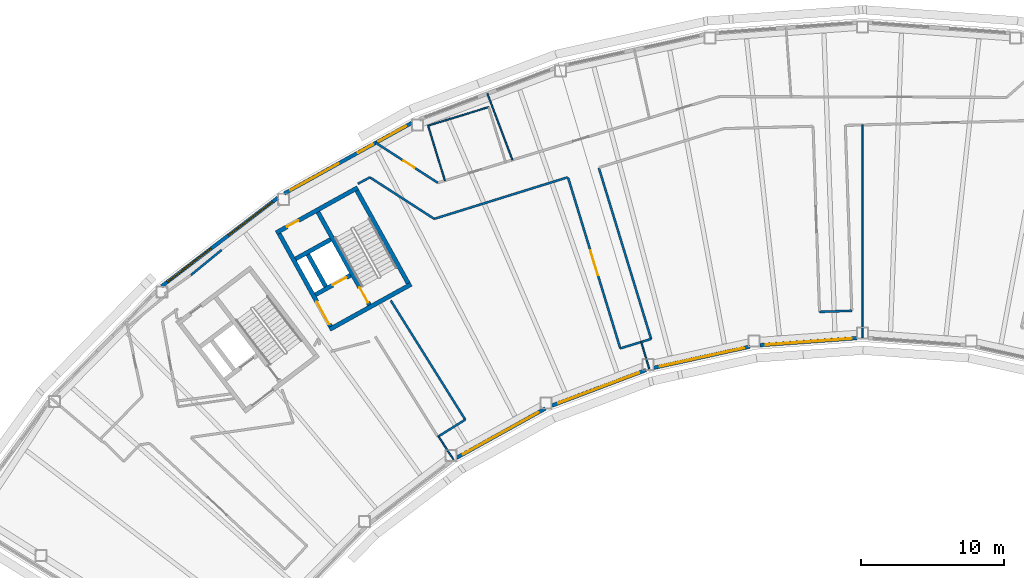
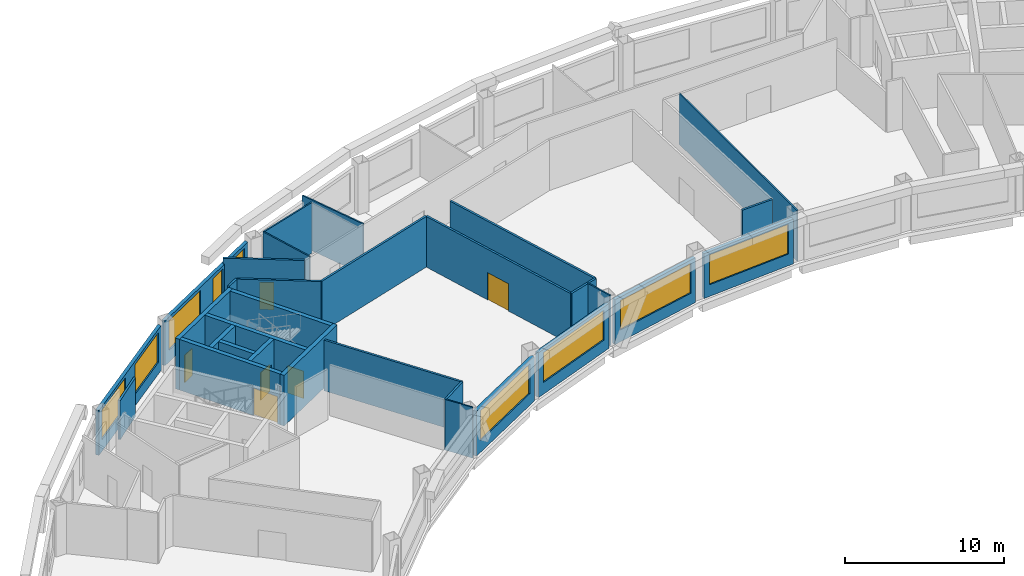
# One storey, part 6 of 13: 31 walls, 9 windows, 6 doors, 15 openings.
"""IFC4 building model written with IfcOpenShell, lengths in metres."""

from ifc_helpers import new_model, si_unit, direction, frame, frame_2d, origin, place, context, subcontext, project, spatial, rectangle, extrude, material, layer, layer_set, type_object, element, fill, save


model = new_model("IFC4")

# Units and contexts
model_context = context("Model", 3, precision=1e-05, world=origin(), true_north=direction((0.0, 1.0)))
body_context = subcontext(model_context, "Body", "Model", "MODEL_VIEW")
ifc_project = project(units=[si_unit("LENGTHUNIT", "METRE"), si_unit("AREAUNIT", "SQUARE_METRE"), si_unit("VOLUMEUNIT", "CUBIC_METRE"), si_unit("PLANEANGLEUNIT", "RADIAN"), si_unit("MASSUNIT", "GRAM", prefix="KILO")], contexts=[model_context])

# Site, building, storey
site_placement = place(None, origin())
site = spatial("IfcSite", under=ifc_project, at=site_placement, CompositionType="ELEMENT")
building_placement = place(site_placement, origin())
building = spatial("IfcBuilding", under=site, at=building_placement, Name="Tuul Gate Civic Tower", CompositionType="ELEMENT")
storey_placement = place(building_placement, frame((0.0, 0.0, 290.0)))
storey = spatial("IfcBuildingStorey", under=building, at=storey_placement, Name="Level 65", CompositionType="ELEMENT", Elevation=290.0)

# Wall
ifc_material_1 = material(Name="Concrete C50/60", Category="concrete")
ifc_layer_1 = layer(ifc_material_1, 0.300048828125)
ifc_layer_set_1 = layer_set([ifc_layer_1], Name="Concrete C50/60")
wall_type_1 = type_object("IfcWallType", Name="Core wall C50/60", PredefinedType="SHEAR", material=ifc_layer_set_1)
wall_1_placement = place(storey_placement, frame((-24.711669921875, -8.7158203125, 0.0), z_axis=(0.0, 0.0, 1.0), x_axis=(-0.874629909008, -0.484791215132, 0.0)))
element("IfcWall", 1, at=wall_1_placement, inside=storey, type_object=wall_type_1, Name="Core wall", PredefinedType="SHEAR", context=body_context, shape_type="SweptSolid", body=[
    extrude(rectangle(XDim=6.5, YDim=0.300048828125, at=frame_2d((3.25, 0.0))), origin(), (0.0, 0.0, 1.0), 3.89990234375),
])

# Wall, opening, door
wall_2_placement = place(storey_placement, frame((-28.94580078125, -8.090087890625, 0.0), z_axis=(0.0, 0.0, 1.0), x_axis=(-0.874629840737, -0.484791338301, 0.0)))
wall_2 = element("IfcWall", 2, at=wall_2_placement, inside=storey, type_object=wall_type_1, Name="Core wall", PredefinedType="SHEAR", context=body_context, shape_type="SweptSolid", body=[
    extrude(rectangle(XDim=2.800048828125, YDim=0.300048828125, at=frame_2d((1.39990234375, 0.0))), origin(), (0.0, 0.0, 1.0), 3.89990234375),
])
opening_1_placement = place(wall_2_placement, frame((0.324951171875, 0.0, 0.0)))
opening_1 = element("IfcOpeningElement", 3, at=opening_1_placement, cuts=wall_2, Name="Opening LD-FF-1", PredefinedType="OPENING", context=body_context, shape_type="SweptSolid", body=[
    extrude(rectangle(XDim=1.10009765625, YDim=2.10009765625, at=frame_2d((0.550048828125, 1.050048828125))), frame((0.0, 0.16015625, 0.0), z_axis=(0.0, -1.0, 0.0), x_axis=(1.0, 0.0, 0.0)), (0.0, 0.0, 1.0), 0.320068359375),
])
ifc_material_2 = material(Name="Stainless steel", Category="steel")
door_type_1 = type_object("IfcDoorType", Name="Landing door", OperationType="DOUBLE_DOOR_SLIDING", PredefinedType="DOOR", material=ifc_material_2)
door_1_placement = place(opening_1_placement, origin())
door_1 = element("IfcDoor", 4, at=door_1_placement, inside=storey, type_object=door_type_1, Name="Fire-fighting lift FF-1 landing door", OperationType="DOUBLE_DOOR_SLIDING", OverallHeight=2.10009765625, OverallWidth=1.10009765625, PredefinedType="DOOR", context=body_context, shape_type="SweptSolid", body=[
    extrude(rectangle(XDim=1.10009765625, YDim=2.10009765625, at=frame_2d((0.550048828125, 1.050048828125))), frame((0.0, 0.02490234375, 0.0), z_axis=(0.0, -1.0, 0.0), x_axis=(1.0, 0.0, 0.0)), (0.0, 0.0, 1.0), 0.050048828125),
])
fill(opening_1, door_1)

# Wall
wall_3_placement = place(storey_placement, frame((-30.327392578125, -5.59716796875, 0.0), z_axis=(0.0, 0.0, 1.0), x_axis=(-0.874629840737, -0.484791338301, 0.0)))
element("IfcWall", 5, at=wall_3_placement, inside=storey, type_object=wall_type_1, Name="Core wall", PredefinedType="SHEAR", context=body_context, shape_type="SweptSolid", body=[
    extrude(rectangle(XDim=2.800048828125, YDim=0.300048828125, at=frame_2d((1.39990234375, 0.0))), origin(), (0.0, 0.0, 1.0), 3.89990234375),
])

# Wall, opening, door
wall_4_placement = place(storey_placement, frame((-28.4443359375, -1.98095703125, 0.0), z_axis=(0.0, 0.0, 1.0), x_axis=(-0.874629909008, -0.484791215132, 0.0)))
wall_4 = element("IfcWall", 6, at=wall_4_placement, inside=storey, type_object=wall_type_1, Name="Core wall", PredefinedType="SHEAR", context=body_context, shape_type="SweptSolid", body=[
    extrude(rectangle(XDim=6.5, YDim=0.300048828125, at=frame_2d((3.25, 0.0))), origin(), (0.0, 0.0, 1.0), 3.89990234375),
])
opening_2_placement = place(wall_4_placement, frame((4.72509765625, 0.0, 0.0)))
opening_2 = element("IfcOpeningElement", 7, at=opening_2_placement, cuts=wall_4, Name="Opening X-D20", PredefinedType="OPENING", context=body_context, shape_type="SweptSolid", body=[
    extrude(rectangle(XDim=0.89990234375, YDim=2.10009765625, at=frame_2d((0.449951171875, 1.050048828125))), frame((0.0, 0.16015625, 0.0), z_axis=(0.0, -1.0, 0.0), x_axis=(1.0, 0.0, 0.0)), (0.0, 0.0, 1.0), 0.320068359375),
])
ifc_material_3 = material(Name="Timber door leaf", Category="wood")
door_type_2 = type_object("IfcDoorType", Name="Door D09", OperationType="NOTDEFINED", PredefinedType="DOOR", material=ifc_material_3)
door_2_placement = place(opening_2_placement, origin())
door_2 = element("IfcDoor", 8, at=door_2_placement, inside=storey, type_object=door_type_2, Name="Door X-D20", OperationType="SINGLE_SWING_LEFT", OverallHeight=2.10009765625, OverallWidth=0.89990234375, PredefinedType="DOOR", context=body_context, shape_type="SweptSolid", body=[
    extrude(rectangle(XDim=0.89990234375, YDim=2.10009765625, at=frame_2d((0.449951171875, 1.050048828125))), frame((0.0, 0.02490234375, 0.0), z_axis=(0.0, -1.0, 0.0), x_axis=(1.0, 0.0, 0.0)), (0.0, 0.0, 1.0), 0.050048828125),
])
fill(opening_2, door_2)

# Wall
wall_5_placement = place(storey_placement, frame((-24.91552734375, -8.6572265625, 0.0), z_axis=(0.0, 0.0, 1.0), x_axis=(-0.484777133038, 0.874637714304, 0.0)))
element("IfcWall", 9, at=wall_5_placement, inside=storey, type_object=wall_type_1, Name="Core wall", PredefinedType="SHEAR", context=body_context, shape_type="SweptSolid", body=[
    extrude(rectangle(XDim=7.400146484375, YDim=0.300048828125, at=frame_2d((3.7001953125, 0.0))), origin(), (0.0, 0.0, 1.0), 3.89990234375),
])

# Wall, opening, door
wall_6_placement = place(storey_placement, frame((-27.626953125, -10.16015625, 0.0), z_axis=(0.0, 0.0, 1.0), x_axis=(-0.484751894226, 0.874651702704, 0.0)))
wall_6 = element("IfcWall", 10, at=wall_6_placement, inside=storey, type_object=wall_type_1, Name="Core wall", PredefinedType="SHEAR", context=body_context, shape_type="SweptSolid", body=[
    extrude(rectangle(XDim=7.39990234375, YDim=0.300048828125, at=frame_2d((3.699951171875, 0.0))), origin(), (0.0, 0.0, 1.0), 3.89990234375),
])
opening_3_placement = place(wall_6_placement, frame((0.199951171875, 0.0, 0.0)))
opening_3 = element("IfcOpeningElement", 11, at=opening_3_placement, cuts=wall_6, Name="Opening SD-ST-2", PredefinedType="OPENING", context=body_context, shape_type="SweptSolid", body=[
    extrude(rectangle(XDim=1.199951171875, YDim=2.10009765625, at=frame_2d((0.60009765625, 1.050048828125))), frame((0.0, 0.16015625, 0.0), z_axis=(0.0, -1.0, 0.0), x_axis=(1.0, 0.0, 0.0)), (0.0, 0.0, 1.0), 0.320068359375),
])
ifc_material_4 = material(Name="Steel", Category="steel")
door_type_3 = type_object("IfcDoorType", Name="Stair door", OperationType="NOTDEFINED", PredefinedType="DOOR", material=ifc_material_4)
door_3_placement = place(opening_3_placement, origin())
door_3 = element("IfcDoor", 12, at=door_3_placement, inside=storey, type_object=door_type_3, Name="Stair door ST-2", OperationType="SINGLE_SWING_LEFT", OverallHeight=2.10009765625, OverallWidth=1.199951171875, PredefinedType="DOOR", context=body_context, shape_type="SweptSolid", body=[
    extrude(rectangle(XDim=1.199951171875, YDim=2.10009765625, at=frame_2d((0.60009765625, 1.050048828125))), frame((0.0, 0.02490234375, 0.0), z_axis=(0.0, -1.0, 0.0), x_axis=(1.0, 0.0, 0.0)), (0.0, 0.0, 1.0), 0.050048828125),
])
fill(opening_3, door_3)

# Wall
wall_7_placement = place(storey_placement, frame((-30.680419921875, -8.8798828125, 0.0), z_axis=(0.0, 0.0, 1.0), x_axis=(-0.484724115216, 0.874667097888, 0.0)))
element("IfcWall", 13, at=wall_7_placement, inside=storey, type_object=wall_type_1, Name="Core wall", PredefinedType="SHEAR", context=body_context, shape_type="SweptSolid", body=[
    extrude(rectangle(XDim=2.550048828125, YDim=0.300048828125, at=frame_2d((1.27490234375, 0.0))), origin(), (0.0, 0.0, 1.0), 3.89990234375),
])

# Wall, opening, door
wall_8_placement = place(storey_placement, frame((-30.33837890625, -11.6630859375, 0.0), z_axis=(0.0, 0.0, 1.0), x_axis=(-0.484751894226, 0.874651702704, 0.0)))
wall_8 = element("IfcWall", 14, at=wall_8_placement, inside=storey, type_object=wall_type_1, Name="Core wall", PredefinedType="SHEAR", context=body_context, shape_type="SweptSolid", body=[
    extrude(rectangle(XDim=7.39990234375, YDim=0.300048828125, at=frame_2d((3.699951171875, 0.0))), origin(), (0.0, 0.0, 1.0), 3.89990234375),
])
opening_4_placement = place(wall_8_placement, frame((0.175048828125, 0.0, 0.0)))
opening_4 = element("IfcOpeningElement", 15, at=opening_4_placement, cuts=wall_8, Name="Opening LB-W2-FLOBBY-1", PredefinedType="OPENING", context=body_context, shape_type="SweptSolid", body=[
    extrude(rectangle(XDim=1.800048828125, YDim=2.10009765625, at=frame_2d((0.89990234375, 1.050048828125))), frame((0.0, 0.16015625, 0.0), z_axis=(0.0, -1.0, 0.0), x_axis=(1.0, 0.0, 0.0)), (0.0, 0.0, 1.0), 0.320068359375),
])
ifc_material_5 = material(Name="Steel", Category="steel")
door_type_4 = type_object("IfcDoorType", Name="Lobby door", OperationType="DOUBLE_DOOR_SINGLE_SWING", PredefinedType="DOOR", material=ifc_material_5)
door_4_placement = place(opening_4_placement, frame((1.800048828125, 0.0, 0.0), z_axis=(0.0, 0.0, 1.0), x_axis=(-1.0, 0.0, 0.0)))
door_4 = element("IfcDoor", 16, at=door_4_placement, inside=storey, type_object=door_type_4, Name="Lobby door W2-FLOBBY", OperationType="DOUBLE_DOOR_SINGLE_SWING", OverallHeight=2.10009765625, OverallWidth=1.800048828125, PredefinedType="DOOR", context=body_context, shape_type="SweptSolid", body=[
    extrude(rectangle(XDim=1.800048828125, YDim=2.10009765625, at=frame_2d((0.900146484375, 1.050048828125))), frame((0.0, 0.02490234375, 0.0), z_axis=(0.0, -1.0, 0.0), x_axis=(1.0, 0.0, 0.0)), (0.0, 0.0, 1.0), 0.050048828125),
])
fill(opening_4, door_4)

# Walls
ifc_material_6 = material(Name="Gypsum board partition")
ifc_layer_2 = layer(ifc_material_6, 0.14990234375)
ifc_layer_set_2 = layer_set([ifc_layer_2], Name="Gypsum board partition")
wall_type_2 = type_object("IfcWallType", Name="Corridor wall P150", PredefinedType="PARTITIONING", material=ifc_layer_set_2)
wall_9_placement = place(storey_placement, frame((-10.125, -13.193603515625, 0.0), z_axis=(0.0, 0.0, 1.0), x_axis=(0.956289194765, 0.292422598263, 0.0)))
element("IfcWall", 17, at=wall_9_placement, inside=storey, type_object=wall_type_2, Name="p066", PredefinedType="PARTITIONING", context=body_context, shape_type="SweptSolid", body=[
    extrude(rectangle(XDim=2.249267578125, YDim=0.14990234375, at=frame_2d((1.12451171875, 0.0))), origin(), (0.0, 0.0, 1.0), 3.89990234375),
])
wall_10_placement = place(storey_placement, frame((-11.621826171875, -0.602294921875, 0.0), z_axis=(0.0, 0.0, 1.0), x_axis=(0.29236815263, -0.95630584194, 0.0)))
element("IfcWall", 18, at=wall_10_placement, inside=storey, type_object=wall_type_2, Name="p067", PredefinedType="PARTITIONING", context=body_context, shape_type="SweptSolid", body=[
    extrude(rectangle(XDim=12.47802734375, YDim=0.14990234375, at=frame_2d((6.239013671875, 0.0))), origin(), (0.0, 0.0, 1.0), 3.89990234375),
])
wall_11_placement = place(storey_placement, frame((-23.10498046875, -4.15771484375, 0.0), z_axis=(0.0, 0.0, 1.0), x_axis=(0.95475491639, 0.297393761919, 0.0)))
element("IfcWall", 19, at=wall_11_placement, inside=storey, type_object=wall_type_2, Name="p068", PredefinedType="PARTITIONING", context=body_context, shape_type="SweptSolid", body=[
    extrude(rectangle(XDim=9.750244140625, YDim=0.14990234375, at=frame_2d((4.875, 0.0))), origin(), (0.0, 0.0, 1.0), 3.89990234375),
])
wall_12_placement = place(storey_placement, frame((3.77685546875, -10.64599609375, 0.0), z_axis=(0.0, 0.0, 1.0), x_axis=(0.999388593446, 0.034963399293, 0.0)))
element("IfcWall", 20, at=wall_12_placement, inside=storey, type_object=wall_type_2, Name="p071", PredefinedType="PARTITIONING", context=body_context, shape_type="SweptSolid", body=[
    extrude(rectangle(XDim=2.24853515625, YDim=0.14990234375, at=frame_2d((1.124267578125, 0.0))), origin(), (0.0, 0.0, 1.0), 3.89990234375),
])
wall_13_placement = place(storey_placement, frame((-22.85009765625, -19.358642578125, 0.0), z_axis=(0.0, 0.0, 1.0), x_axis=(0.848016591938, 0.529969678186, 0.0)))
element("IfcWall", 21, at=wall_13_placement, inside=storey, type_object=wall_type_2, Name="p075", PredefinedType="PARTITIONING", context=body_context, shape_type="SweptSolid", body=[
    extrude(rectangle(XDim=2.25, YDim=0.14990234375, at=frame_2d((1.125, 0.0))), origin(), (0.0, 0.0, 1.0), 3.89990234375),
])
wall_14_placement = place(storey_placement, frame((-26.139404296875, -9.85009765625, 0.0), z_axis=(0.0, 0.0, 1.0), x_axis=(0.529974324055, -0.848013688476, 0.0)))
element("IfcWall", 22, at=wall_14_placement, inside=storey, type_object=wall_type_2, Name="p076", PredefinedType="PARTITIONING", context=body_context, shape_type="SweptSolid", body=[
    extrude(rectangle(XDim=9.806640625, YDim=0.14990234375, at=frame_2d((4.9033203125, 0.0))), origin(), (0.0, 0.0, 1.0), 3.89990234375),
])
wall_15_placement = place(storey_placement, frame((-28.42431640625, -1.7080078125, 0.0), z_axis=(0.0, 0.0, 1.0), x_axis=(0.880944468878, 0.473219655924, 0.0)))
element("IfcWall", 23, at=wall_15_placement, inside=storey, type_object=wall_type_2, Name="p077", PredefinedType="PARTITIONING", context=body_context, shape_type="SweptSolid", body=[
    extrude(rectangle(XDim=0.943115234375, YDim=0.14990234375, at=frame_2d((0.4716796875, 0.0))), origin(), (0.0, 0.0, 1.0), 3.89990234375),
])
wall_16_placement = place(storey_placement, frame((-27.593505859375, -1.26171875, 0.0), z_axis=(0.0, 0.0, 1.0), x_axis=(0.840281871945, -0.54214977237, 0.0)))
element("IfcWall", 24, at=wall_16_placement, inside=storey, type_object=wall_type_2, Name="p078", PredefinedType="PARTITIONING", context=body_context, shape_type="SweptSolid", body=[
    extrude(rectangle(XDim=5.341796875, YDim=0.14990234375, at=frame_2d((2.6708984375, 0.0))), origin(), (0.0, 0.0, 1.0), 3.89990234375),
])

# Wall, opening, door
wall_17_placement = place(storey_placement, frame((-13.77001953125, -1.271484375, 0.0), z_axis=(0.0, 0.0, 1.0), x_axis=(0.292376247058, -0.95630336722, 0.0)))
wall_17 = element("IfcWall", 25, at=wall_17_placement, inside=storey, type_object=wall_type_2, Name="p079", PredefinedType="PARTITIONING", context=body_context, shape_type="SweptSolid", body=[
    extrude(rectangle(XDim=12.466796875, YDim=0.14990234375, at=frame_2d((6.2333984375, 0.0))), origin(), (0.0, 0.0, 1.0), 3.89990234375),
])
opening_5_placement = place(wall_17_placement, frame((5.333251953125, 0.0, 0.0)))
opening_5 = element("IfcOpeningElement", 26, at=opening_5_placement, cuts=wall_17, Name="Opening X-D12", PredefinedType="OPENING", context=body_context, shape_type="SweptSolid", body=[
    extrude(rectangle(XDim=1.800048828125, YDim=2.10009765625, at=frame_2d((0.89990234375, 1.050048828125))), frame((0.0, 0.0849609375, 0.0), z_axis=(0.0, -1.0, 0.0), x_axis=(1.0, 0.0, 0.0)), (0.0, 0.0, 1.0), 0.169921875),
])
ifc_material_7 = material(Name="Timber door leaf, double", Category="wood")
door_type_5 = type_object("IfcDoorType", Name="Door D18", OperationType="DOUBLE_DOOR_SINGLE_SWING", PredefinedType="DOOR", material=ifc_material_7)
door_5_placement = place(opening_5_placement, frame((1.800048828125, 0.0, 0.0), z_axis=(0.0, 0.0, 1.0), x_axis=(-1.0, 0.0, 0.0)))
door_5 = element("IfcDoor", 27, at=door_5_placement, inside=storey, type_object=door_type_5, Name="Door X-D12", OperationType="DOUBLE_DOOR_SINGLE_SWING", OverallHeight=2.10009765625, OverallWidth=1.800048828125, PredefinedType="DOOR", context=body_context, shape_type="SweptSolid", body=[
    extrude(rectangle(XDim=1.800048828125, YDim=2.10009765625, at=frame_2d((0.900146484375, 1.050048828125))), frame((0.0, 0.02490234375, 0.0), z_axis=(0.0, -1.0, 0.0), x_axis=(1.0, 0.0, 0.0)), (0.0, 0.0, 1.0), 0.050048828125),
])
fill(opening_5, door_5)

wall_18_placement = place(storey_placement, frame((-27.183349609375, 1.151123046875, 0.0), z_axis=(0.0, 0.0, 1.0), x_axis=(0.840299434688, -0.542122550778, 0.0)))
wall_18 = element("IfcWall", 28, at=wall_18_placement, inside=storey, type_object=wall_type_2, Name="p105", PredefinedType="PARTITIONING", context=body_context, shape_type="SweptSolid", body=[
    extrude(rectangle(XDim=5.150146484375, YDim=0.14990234375, at=frame_2d((2.5751953125, 0.0))), origin(), (0.0, 0.0, 1.0), 3.89990234375),
])
opening_6_placement = place(wall_18_placement, frame((2.312255859375, 0.0, 0.0)))
opening_6 = element("IfcOpeningElement", 29, at=opening_6_placement, cuts=wall_18, Name="Opening X-D18", PredefinedType="OPENING", context=body_context, shape_type="SweptSolid", body=[
    extrude(rectangle(XDim=0.89990234375, YDim=2.10009765625, at=frame_2d((0.449951171875, 1.050048828125))), frame((0.0, 0.0849609375, 0.0), z_axis=(0.0, -1.0, 0.0), x_axis=(1.0, 0.0, 0.0)), (0.0, 0.0, 1.0), 0.169921875),
])
door_6_placement = place(opening_6_placement, origin())
door_6 = element("IfcDoor", 30, at=door_6_placement, inside=storey, type_object=door_type_2, Name="Door X-D18", OperationType="SINGLE_SWING_RIGHT", OverallHeight=2.10009765625, OverallWidth=0.89990234375, PredefinedType="DOOR", context=body_context, shape_type="SweptSolid", body=[
    extrude(rectangle(XDim=0.89990234375, YDim=2.10009765625, at=frame_2d((0.449951171875, 1.050048828125))), frame((0.0, 0.02490234375, 0.0), z_axis=(0.0, -1.0, 0.0), x_axis=(1.0, 0.0, 0.0)), (0.0, 0.0, 1.0), 0.050048828125),
])
fill(opening_6, door_6)

# Wall
ifc_material_8 = material(Name="Gypsum board partition")
ifc_layer_3 = layer(ifc_material_8, 0.14990234375)
ifc_layer_set_3 = layer_set([ifc_layer_3], Name="Gypsum board partition")
wall_type_3 = type_object("IfcWallType", Name="Corridor wall P150 3000 HIGH", PredefinedType="PARTITIONING", material=ifc_layer_set_3)
wall_19_placement = place(storey_placement, frame((-40.0732421875, -8.07568359375, 0.0), z_axis=(0.0, 0.0, 1.0), x_axis=(0.773953353757, 0.633242612439, 0.0)))
element("IfcWall", 31, at=wall_19_placement, inside=storey, type_object=wall_type_3, Name="p036", PredefinedType="PARTITIONING", context=body_context, shape_type="SweptSolid", body=[
    extrude(rectangle(XDim=2.757080078125, YDim=0.14990234375, at=frame_2d((1.37841796875, 0.0))), origin(), (0.0, 0.0, 1.0), 3.0),
])

# Wall, openings, windows
ifc_material_9 = material(Name="Precast concrete C40/50", Category="concrete")
ifc_layer_4 = layer(ifc_material_9, 0.25)
ifc_layer_set_4 = layer_set([ifc_layer_4], Name="Precast concrete C40/50")
wall_type_4 = type_object("IfcWallType", Name="External wall", PredefinedType="STANDARD", material=ifc_layer_set_4)
wall_20_placement = place(storey_placement, frame((-24.676025390625, 2.53515625, 0.0), z_axis=(0.0, 0.0, 1.0), x_axis=(-0.874624927255, -0.484800202789, 0.0)))
wall_20 = element("IfcWall", 32, at=wall_20_placement, inside=storey, type_object=wall_type_4, Name="External wall", PredefinedType="STANDARD", context=body_context, shape_type="SweptSolid", body=[
    extrude(rectangle(XDim=10.161376953125, YDim=0.25, at=frame_2d((5.08056640625, 0.0))), origin(), (0.0, 0.0, 1.0), 3.449951171875),
])
opening_7_placement = place(wall_20_placement, frame((5.821533203125, 0.0, 0.89990234375)))
opening_7 = element("IfcOpeningElement", 33, at=opening_7_placement, cuts=wall_20, Name="Opening W22", PredefinedType="OPENING", context=body_context, shape_type="SweptSolid", body=[
    extrude(rectangle(XDim=3.85009765625, YDim=2.300048828125, at=frame_2d((1.925048828125, 1.14990234375))), frame((0.0, 0.135009765625, 0.0), z_axis=(0.0, -1.0, 0.0), x_axis=(1.0, 0.0, 0.0)), (0.0, 0.0, 1.0), 0.27001953125),
])
opening_8_placement = place(wall_20_placement, frame((0.45703125, 0.0, 0.89990234375)))
opening_8 = element("IfcOpeningElement", 34, at=opening_8_placement, cuts=wall_20, Name="Opening W63", PredefinedType="OPENING", context=body_context, shape_type="SweptSolid", body=[
    extrude(rectangle(XDim=2.199951171875, YDim=2.300048828125, at=frame_2d((1.10009765625, 1.14990234375))), frame((0.0, 0.135009765625, 0.0), z_axis=(0.0, -1.0, 0.0), x_axis=(1.0, 0.0, 0.0)), (0.0, 0.0, 1.0), 0.27001953125),
])
opening_9_placement = place(wall_20_placement, frame((3.08203125, 0.0, 0.89990234375)))
opening_9 = element("IfcOpeningElement", 35, at=opening_9_placement, cuts=wall_20, Name="Opening W64", PredefinedType="OPENING", context=body_context, shape_type="SweptSolid", body=[
    extrude(rectangle(XDim=1.199951171875, YDim=2.300048828125, at=frame_2d((0.60009765625, 1.14990234375))), frame((0.0, 0.135009765625, 0.0), z_axis=(0.0, -1.0, 0.0), x_axis=(1.0, 0.0, 0.0)), (0.0, 0.0, 1.0), 0.27001953125),
])
ifc_material_10 = material(Name="Glass", Category="glass")
window_type_1 = type_object("IfcWindowType", Name="Window 1200 x 2300", PartitioningType="SINGLE_PANEL", PredefinedType="WINDOW", material=ifc_material_10)
window_1_placement = place(opening_9_placement, origin())
window_1 = element("IfcWindow", 36, at=window_1_placement, inside=storey, type_object=window_type_1, Name="Window", OverallHeight=2.300048828125, OverallWidth=1.199951171875, PartitioningType="SINGLE_PANEL", PredefinedType="WINDOW", context=body_context, shape_type="SweptSolid", body=[
    extrude(rectangle(XDim=1.199951171875, YDim=2.300048828125, at=frame_2d((0.60009765625, 1.14990234375))), frame((0.0, 0.030029296875, 0.0), z_axis=(0.0, -1.0, 0.0), x_axis=(1.0, 0.0, 0.0)), (0.0, 0.0, 1.0), 0.06005859375),
])
fill(opening_9, window_1)
ifc_material_11 = material(Name="Glass", Category="glass")
window_type_2 = type_object("IfcWindowType", Name="Window 2200 x 2300", PartitioningType="SINGLE_PANEL", PredefinedType="WINDOW", material=ifc_material_11)
window_2_placement = place(opening_8_placement, origin())
window_2 = element("IfcWindow", 37, at=window_2_placement, inside=storey, type_object=window_type_2, Name="Window", OverallHeight=2.300048828125, OverallWidth=2.199951171875, PartitioningType="SINGLE_PANEL", PredefinedType="WINDOW", context=body_context, shape_type="SweptSolid", body=[
    extrude(rectangle(XDim=2.199951171875, YDim=2.300048828125, at=frame_2d((1.10009765625, 1.14990234375))), frame((0.0, 0.030029296875, 0.0), z_axis=(0.0, -1.0, 0.0), x_axis=(1.0, 0.0, 0.0)), (0.0, 0.0, 1.0), 0.06005859375),
])
fill(opening_8, window_2)
ifc_material_12 = material(Name="Glass", Category="glass")
window_type_3 = type_object("IfcWindowType", Name="Window W22 3850 x 2300", PartitioningType="SINGLE_PANEL", PredefinedType="WINDOW", material=ifc_material_12)
window_3_placement = place(opening_7_placement, origin())
window_3 = element("IfcWindow", 38, at=window_3_placement, inside=storey, type_object=window_type_3, Name="Window", OverallHeight=2.300048828125, OverallWidth=3.85009765625, PartitioningType="SINGLE_PANEL", PredefinedType="WINDOW", context=body_context, shape_type="SweptSolid", body=[
    extrude(rectangle(XDim=3.85009765625, YDim=2.300048828125, at=frame_2d((1.925048828125, 1.14990234375))), frame((0.0, 0.030029296875, 0.0), z_axis=(0.0, -1.0, 0.0), x_axis=(1.0, 0.0, 0.0)), (0.0, 0.0, 1.0), 0.06005859375),
])
fill(opening_7, window_3)

wall_21_placement = place(storey_placement, frame((-34.013916015625, -2.6865234375, 0.0), z_axis=(0.0, 0.0, 1.0), x_axis=(-0.795611005019, -0.605807831488, 0.0)))
wall_21 = element("IfcWall", 39, at=wall_21_placement, inside=storey, type_object=wall_type_4, Name="External wall", PredefinedType="STANDARD", context=body_context, shape_type="SweptSolid", body=[
    extrude(rectangle(XDim=10.188720703125, YDim=0.25, at=frame_2d((5.09423828125, 0.0))), origin(), (0.0, 0.0, 1.0), 3.449951171875),
])
opening_10_placement = place(wall_21_placement, frame((0.47314453125, 0.0, 0.89990234375)))
opening_10 = element("IfcOpeningElement", 40, at=opening_10_placement, cuts=wall_21, Name="Opening W22", PredefinedType="OPENING", context=body_context, shape_type="SweptSolid", body=[
    extrude(rectangle(XDim=3.85009765625, YDim=2.300048828125, at=frame_2d((1.925048828125, 1.14990234375))), frame((0.0, 0.135009765625, 0.0), z_axis=(0.0, -1.0, 0.0), x_axis=(1.0, 0.0, 0.0)), (0.0, 0.0, 1.0), 0.27001953125),
])
opening_11_placement = place(wall_21_placement, frame((5.844482421875, 0.0, 0.89990234375)))
opening_11 = element("IfcOpeningElement", 41, at=opening_11_placement, cuts=wall_21, Name="Opening W22", PredefinedType="OPENING", context=body_context, shape_type="SweptSolid", body=[
    extrude(rectangle(XDim=3.85009765625, YDim=2.300048828125, at=frame_2d((1.925048828125, 1.14990234375))), frame((0.0, 0.135009765625, 0.0), z_axis=(0.0, -1.0, 0.0), x_axis=(1.0, 0.0, 0.0)), (0.0, 0.0, 1.0), 0.27001953125),
])
window_4_placement = place(opening_10_placement, origin())
window_4 = element("IfcWindow", 42, at=window_4_placement, inside=storey, type_object=window_type_3, Name="Window", OverallHeight=2.300048828125, OverallWidth=3.85009765625, PartitioningType="SINGLE_PANEL", PredefinedType="WINDOW", context=body_context, shape_type="SweptSolid", body=[
    extrude(rectangle(XDim=3.85009765625, YDim=2.300048828125, at=frame_2d((1.925048828125, 1.14990234375))), frame((0.0, 0.030029296875, 0.0), z_axis=(0.0, -1.0, 0.0), x_axis=(1.0, 0.0, 0.0)), (0.0, 0.0, 1.0), 0.06005859375),
])
fill(opening_10, window_4)
window_5_placement = place(opening_11_placement, origin())
window_5 = element("IfcWindow", 43, at=window_5_placement, inside=storey, type_object=window_type_3, Name="Window", OverallHeight=2.300048828125, OverallWidth=3.85009765625, PartitioningType="SINGLE_PANEL", PredefinedType="WINDOW", context=body_context, shape_type="SweptSolid", body=[
    extrude(rectangle(XDim=3.85009765625, YDim=2.300048828125, at=frame_2d((1.925048828125, 1.14990234375))), frame((0.0, 0.030029296875, 0.0), z_axis=(0.0, -1.0, 0.0), x_axis=(1.0, 0.0, 0.0)), (0.0, 0.0, 1.0), 0.06005859375),
])
fill(opening_11, window_5)

# Wall, opening, window
wall_22_placement = place(storey_placement, frame((-21.5380859375, -20.82177734375, 0.0), z_axis=(0.0, 0.0, 1.0), x_axis=(0.874625686175, 0.484798833625, 0.0)))
wall_22 = element("IfcWall", 44, at=wall_22_placement, inside=storey, type_object=wall_type_4, Name="External wall", PredefinedType="STANDARD", context=body_context, shape_type="SweptSolid", body=[
    extrude(rectangle(XDim=7.074462890625, YDim=0.25, at=frame_2d((3.537109375, 0.0))), origin(), (0.0, 0.0, 1.0), 3.449951171875),
])
opening_12_placement = place(wall_22_placement, frame((0.51806640625, 0.0, 0.89990234375)))
opening_12 = element("IfcOpeningElement", 45, at=opening_12_placement, cuts=wall_22, Name="Opening W26", PredefinedType="OPENING", context=body_context, shape_type="SweptSolid", body=[
    extrude(rectangle(XDim=6.0, YDim=2.300048828125, at=frame_2d((3.0, 1.14990234375))), frame((0.0, 0.135009765625, 0.0), z_axis=(0.0, -1.0, 0.0), x_axis=(1.0, 0.0, 0.0)), (0.0, 0.0, 1.0), 0.27001953125),
])
ifc_material_13 = material(Name="Glass", Category="glass")
window_type_4 = type_object("IfcWindowType", Name="Window W26 6000 x 2300", PartitioningType="SINGLE_PANEL", PredefinedType="WINDOW", material=ifc_material_13)
window_6_placement = place(opening_12_placement, origin())
window_6 = element("IfcWindow", 46, at=window_6_placement, inside=storey, type_object=window_type_4, Name="Window", OverallHeight=2.300048828125, OverallWidth=6.0, PartitioningType="SINGLE_PANEL", PredefinedType="WINDOW", context=body_context, shape_type="SweptSolid", body=[
    extrude(rectangle(XDim=6.0, YDim=2.300048828125, at=frame_2d((3.0, 1.14990234375))), frame((0.0, 0.030029296875, 0.0), z_axis=(0.0, -1.0, 0.0), x_axis=(1.0, 0.0, 0.0)), (0.0, 0.0, 1.0), 0.06005859375),
])
fill(opening_12, window_6)

wall_23_placement = place(storey_placement, frame((-14.89794921875, -17.1875, 0.0), z_axis=(0.0, 0.0, 1.0), x_axis=(0.93536719876, 0.35367810716, 0.0)))
wall_23 = element("IfcWall", 47, at=wall_23_placement, inside=storey, type_object=wall_type_4, Name="External wall", PredefinedType="STANDARD", context=body_context, shape_type="SweptSolid", body=[
    extrude(rectangle(XDim=7.013427734375, YDim=0.25, at=frame_2d((3.5068359375, 0.0))), origin(), (0.0, 0.0, 1.0), 3.449951171875),
])
opening_13_placement = place(wall_23_placement, frame((0.490478515625, 0.0, 0.89990234375)))
opening_13 = element("IfcOpeningElement", 48, at=opening_13_placement, cuts=wall_23, Name="Opening W26", PredefinedType="OPENING", context=body_context, shape_type="SweptSolid", body=[
    extrude(rectangle(XDim=6.0, YDim=2.300048828125, at=frame_2d((3.0, 1.14990234375))), frame((0.0, 0.135009765625, 0.0), z_axis=(0.0, -1.0, 0.0), x_axis=(1.0, 0.0, 0.0)), (0.0, 0.0, 1.0), 0.27001953125),
])
window_7_placement = place(opening_13_placement, origin())
window_7 = element("IfcWindow", 49, at=window_7_placement, inside=storey, type_object=window_type_4, Name="Window", OverallHeight=2.300048828125, OverallWidth=6.0, PartitioningType="SINGLE_PANEL", PredefinedType="WINDOW", context=body_context, shape_type="SweptSolid", body=[
    extrude(rectangle(XDim=6.0, YDim=2.300048828125, at=frame_2d((3.0, 1.14990234375))), frame((0.0, 0.030029296875, 0.0), z_axis=(0.0, -1.0, 0.0), x_axis=(1.0, 0.0, 0.0)), (0.0, 0.0, 1.0), 0.06005859375),
])
fill(opening_13, window_7)

wall_24_placement = place(storey_placement, frame((-7.798095703125, -14.55126953125, 0.0), z_axis=(0.0, 0.0, 1.0), x_axis=(0.976561146318, 0.215240162382, 0.0)))
wall_24 = element("IfcWall", 50, at=wall_24_placement, inside=storey, type_object=wall_type_4, Name="External wall", PredefinedType="STANDARD", context=body_context, shape_type="SweptSolid", body=[
    extrude(rectangle(XDim=6.867919921875, YDim=0.25, at=frame_2d((3.43408203125, 0.0))), origin(), (0.0, 0.0, 1.0), 3.449951171875),
])
opening_14_placement = place(wall_24_placement, frame((0.458251953125, 0.0, 0.89990234375)))
opening_14 = element("IfcOpeningElement", 51, at=opening_14_placement, cuts=wall_24, Name="Opening W26", PredefinedType="OPENING", context=body_context, shape_type="SweptSolid", body=[
    extrude(rectangle(XDim=6.0, YDim=2.300048828125, at=frame_2d((3.0, 1.14990234375))), frame((0.0, 0.135009765625, 0.0), z_axis=(0.0, -1.0, 0.0), x_axis=(1.0, 0.0, 0.0)), (0.0, 0.0, 1.0), 0.27001953125),
])
window_8_placement = place(opening_14_placement, origin())
window_8 = element("IfcWindow", 52, at=window_8_placement, inside=storey, type_object=window_type_4, Name="Window", OverallHeight=2.300048828125, OverallWidth=6.0, PartitioningType="SINGLE_PANEL", PredefinedType="WINDOW", context=body_context, shape_type="SweptSolid", body=[
    extrude(rectangle(XDim=6.0, YDim=2.300048828125, at=frame_2d((3.0, 1.14990234375))), frame((0.0, 0.030029296875, 0.0), z_axis=(0.0, -1.0, 0.0), x_axis=(1.0, 0.0, 0.0)), (0.0, 0.0, 1.0), 0.06005859375),
])
fill(opening_14, window_8)

wall_25_placement = place(storey_placement, frame((-0.384033203125, -12.969482421875, 0.0), z_axis=(0.0, 0.0, 1.0), x_axis=(0.997384795983, 0.072274260578, 0.0)))
wall_25 = element("IfcWall", 53, at=wall_25_placement, inside=storey, type_object=wall_type_4, Name="External wall", PredefinedType="STANDARD", context=body_context, shape_type="SweptSolid", body=[
    extrude(rectangle(XDim=6.789794921875, YDim=0.25, at=frame_2d((3.39501953125, 0.0))), origin(), (0.0, 0.0, 1.0), 3.449951171875),
])
opening_15_placement = place(wall_25_placement, frame((0.41845703125, 0.0, 0.89990234375)))
opening_15 = element("IfcOpeningElement", 54, at=opening_15_placement, cuts=wall_25, Name="Opening W26", PredefinedType="OPENING", context=body_context, shape_type="SweptSolid", body=[
    extrude(rectangle(XDim=6.0, YDim=2.300048828125, at=frame_2d((3.0, 1.14990234375))), frame((0.0, 0.135009765625, 0.0), z_axis=(0.0, -1.0, 0.0), x_axis=(1.0, 0.0, 0.0)), (0.0, 0.0, 1.0), 0.27001953125),
])
window_9_placement = place(opening_15_placement, origin())
window_9 = element("IfcWindow", 55, at=window_9_placement, inside=storey, type_object=window_type_4, Name="Window", OverallHeight=2.300048828125, OverallWidth=6.0, PartitioningType="SINGLE_PANEL", PredefinedType="WINDOW", context=body_context, shape_type="SweptSolid", body=[
    extrude(rectangle(XDim=6.0, YDim=2.300048828125, at=frame_2d((3.0, 1.14990234375))), frame((0.0, 0.030029296875, 0.0), z_axis=(0.0, -1.0, 0.0), x_axis=(1.0, 0.0, 0.0)), (0.0, 0.0, 1.0), 0.06005859375),
])
fill(opening_15, window_9)

# Walls
ifc_material_14 = material(Name="Gypsum board partition")
ifc_layer_5 = layer(ifc_material_14, 0.10009765625)
ifc_layer_set_5 = layer_set([ifc_layer_5], Name="Gypsum board partition")
wall_type_5 = type_object("IfcWallType", Name="Partition P100", PredefinedType="PARTITIONING", material=ifc_layer_set_5)
wall_26_placement = place(storey_placement, frame((-19.398681640625, 4.582763671875, 0.0), z_axis=(0.0, 0.0, 1.0), x_axis=(0.353684499738, -0.935364781593, 0.0)))
element("IfcWall", 56, at=wall_26_placement, inside=storey, type_object=wall_type_5, Name="p028", PredefinedType="PARTITIONING", context=body_context, shape_type="SweptSolid", body=[
    extrude(rectangle(XDim=4.94921875, YDim=0.10009765625, at=frame_2d((2.474609375, 0.0))), origin(), (0.0, 0.0, 1.0), 3.89990234375),
])
wall_27_placement = place(storey_placement, frame((-23.5341796875, 2.34521484375, 0.0), z_axis=(0.0, 0.0, 1.0), x_axis=(0.292660877969, -0.956216299017, 0.0)))
element("IfcWall", 57, at=wall_27_placement, inside=storey, type_object=wall_type_5, Name="p029", PredefinedType="PARTITIONING", context=body_context, shape_type="SweptSolid", body=[
    extrude(rectangle(XDim=4.010009765625, YDim=0.10009765625, at=frame_2d((2.0048828125, 0.0))), origin(), (0.0, 0.0, 1.0), 3.89990234375),
])
wall_28_placement = place(storey_placement, frame((-23.5341796875, 2.34521484375, 0.0), z_axis=(0.0, 0.0, 1.0), x_axis=(0.95620437266, 0.292699842339, 0.0)))
element("IfcWall", 58, at=wall_28_placement, inside=storey, type_object=wall_type_5, Name="p030", PredefinedType="PARTITIONING", context=body_context, shape_type="SweptSolid", body=[
    extrude(rectangle(XDim=4.419921875, YDim=0.10009765625, at=frame_2d((2.2099609375, 0.0))), origin(), (0.0, 0.0, 1.0), 3.89990234375),
])
wall_29_placement = place(storey_placement, frame((6.7880859375, -12.45458984375, 0.0), z_axis=(0.0, 0.0, 1.0), x_axis=(0.0, 1.0, 0.0)))
element("IfcWall", 59, at=wall_29_placement, inside=storey, type_object=wall_type_5, Name="p057", PredefinedType="PARTITIONING", context=body_context, shape_type="SweptSolid", body=[
    extrude(rectangle(XDim=14.849609375, YDim=0.10009765625, at=frame_2d((7.4248046875, 0.0))), origin(), (0.0, 0.0, 1.0), 3.89990234375),
])
wall_30_placement = place(storey_placement, frame((-8.661865234375, -12.746337890625, 0.0), z_axis=(0.0, 0.0, 1.0), x_axis=(0.285174536092, -0.958475604262, 0.0)))
element("IfcWall", 60, at=wall_30_placement, inside=storey, type_object=wall_type_5, Name="p065", PredefinedType="PARTITIONING", context=body_context, shape_type="SweptSolid", body=[
    extrude(rectangle(XDim=1.958740234375, YDim=0.10009765625, at=frame_2d((0.9794921875, 0.0))), origin(), (0.0, 0.0, 1.0), 3.89990234375),
])
wall_31_placement = place(storey_placement, frame((-22.811767578125, -19.334716796875, 0.0), z_axis=(0.0, 0.0, 1.0), x_axis=(0.546727310545, -0.837310723629, 0.0)))
element("IfcWall", 61, at=wall_31_placement, inside=storey, type_object=wall_type_5, Name="p074", PredefinedType="PARTITIONING", context=body_context, shape_type="SweptSolid", body=[
    extrude(rectangle(XDim=1.92822265625, YDim=0.10009765625, at=frame_2d((0.964111328125, 0.0))), origin(), (0.0, 0.0, 1.0), 3.89990234375),
])

save(model, "model.ifc")
